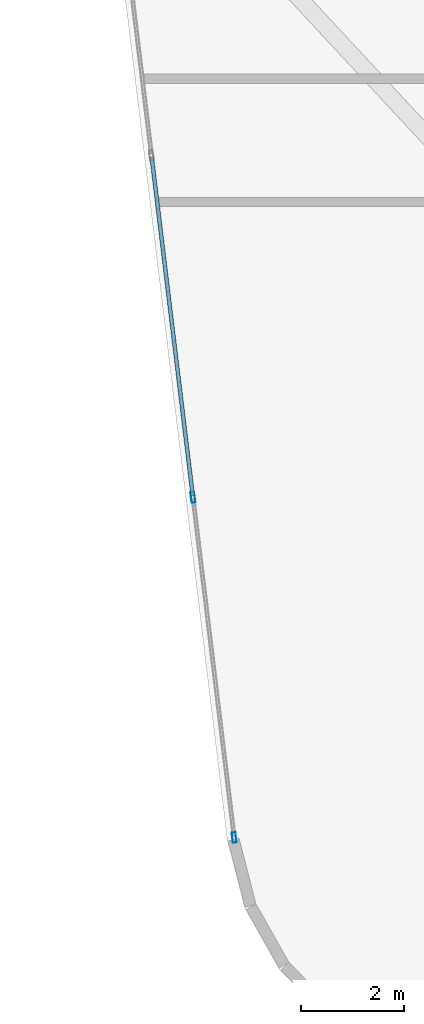
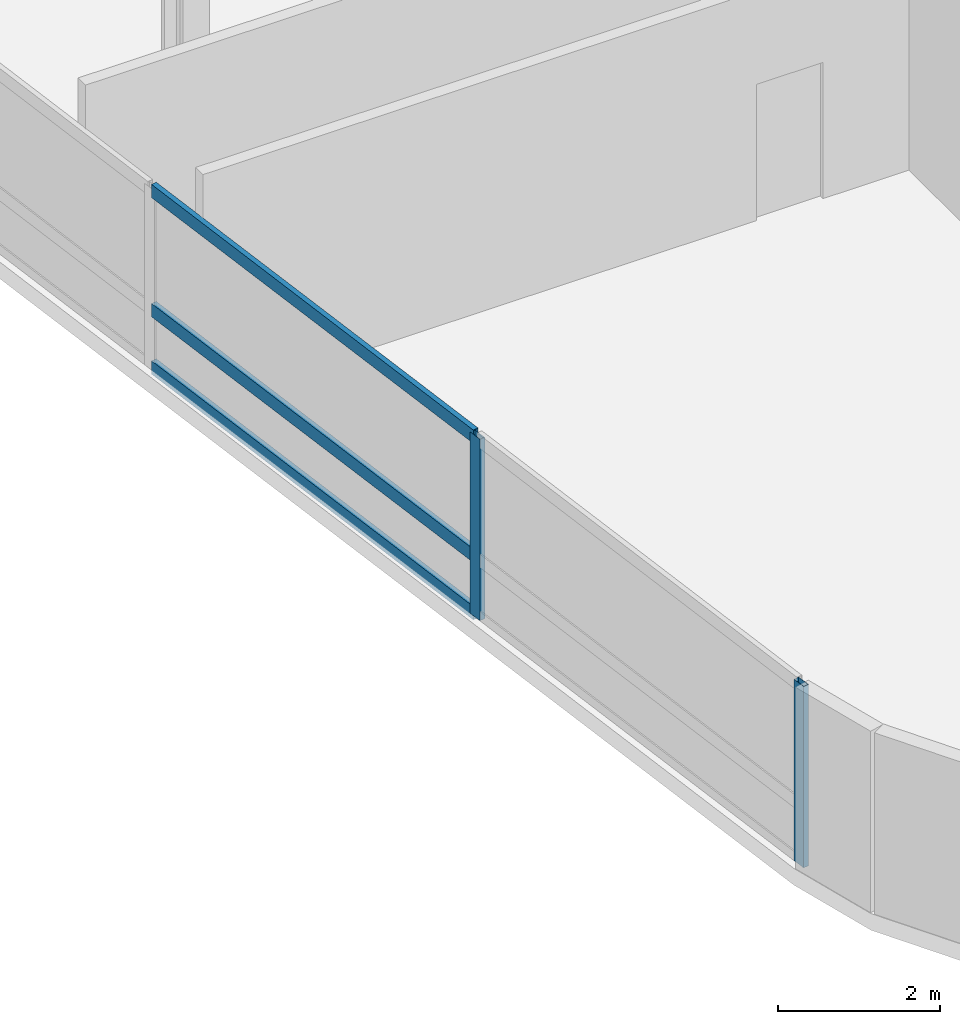
# One storey, part 2 of 23: 5 members, 1 element without a shape of its own.
"""IFC4 building model written with IfcOpenShell, lengths in metres."""

from ifc_helpers import new_model, si_unit, direction, frame, origin, origin_2d, place, context, subcontext, project, spatial, hollow_rectangle, extrude, material, layer, layer_set, material_profile, profile_set, type_object, element, aggregate, save


model = new_model("IFC4")

# Units and contexts
model_context = context("Model", 3, precision=1e-05, world=origin(), true_north=direction((0.0, 1.0)))
body_context = subcontext(model_context, "Body", "Model", "MODEL_VIEW")
ifc_project = project(units=[si_unit("LENGTHUNIT", "METRE"), si_unit("AREAUNIT", "SQUARE_METRE"), si_unit("VOLUMEUNIT", "CUBIC_METRE"), si_unit("PLANEANGLEUNIT", "RADIAN"), si_unit("MASSUNIT", "GRAM", prefix="KILO")], contexts=[model_context])

# Site, building, storey
site_placement = place(None, origin())
site = spatial("IfcSite", under=ifc_project, at=site_placement, CompositionType="ELEMENT")
building_placement = place(site_placement, origin())
building = spatial("IfcBuilding", under=site, at=building_placement, Name="Varnelok Gate Tower", CompositionType="ELEMENT")
storey_placement = place(building_placement, frame((0.0, 0.0, 189.39990234375)))
storey = spatial("IfcBuildingStorey", under=building, at=storey_placement, Name="L48", CompositionType="ELEMENT", Elevation=189.39990234375)

# Curtain wall, members
ifc_material = material(Name="Anodized Aluminum Alloy 6063-T6", Category="aluminium")
ifc_layer = layer(ifc_material, 0.179931640625)
ifc_layer_set = layer_set([ifc_layer], Name="Anodized Aluminum Alloy 6063-T6")
curtain_wall_type = type_object("IfcCurtainWallType", Name="CW4-RESIDENCE-VISION", PredefinedType="USERDEFINED", material=ifc_layer_set)
curtain_wall_placement = place(storey_placement, origin())
curtain_wall = element("IfcCurtainWall", 1, at=curtain_wall_placement, inside=storey, type_object=curtain_wall_type, Name="L48 West End Vision Curtain Wall", ObjectType="UNITISED CURTAIN WALL", PredefinedType="USERDEFINED")
ifc_material_profile_1 = material_profile(ifc_material, hollow_rectangle(XDim=0.074951171875, YDim=0.199951171875, WallThickness=0.00390625, at=origin_2d()), Name="ALU200X75X4")
ifc_profile_set_1 = profile_set([ifc_material_profile_1], Name="Anodized Aluminum Alloy 6063-T6")
member_type_1 = type_object("IfcMemberType", Name="CW-MULL-200", PredefinedType="MULLION", material=ifc_profile_set_1)
member_1_placement = place(storey_placement, frame((6.30078125, 4.52734375, 0.0), z_axis=(0.0, 0.0, 1.0), x_axis=(-0.992732188751, -0.120344511371, 0.0)))
member_1 = element("IfcMember", 2, at=member_1_placement, type_object=member_type_1, Name="CW4 mullion 1", PredefinedType="MULLION", context=body_context, shape_type="SweptSolid", body=[
    extrude(hollow_rectangle(XDim=0.074951171875, YDim=0.199951171875, WallThickness=0.00390625, at=origin_2d()), origin(), (0.0, 0.0, 1.0), 2.72998046875),
])
member_2_placement = place(storey_placement, frame((5.50146484375, 11.12158203125, 0.0), z_axis=(0.0, 0.0, 1.0), x_axis=(-0.992732188751, -0.120344511371, 0.0)))
member_2 = element("IfcMember", 3, at=member_2_placement, type_object=member_type_1, Name="CW4 mullion 2", PredefinedType="MULLION", context=body_context, shape_type="SweptSolid", body=[
    extrude(hollow_rectangle(XDim=0.074951171875, YDim=0.199951171875, WallThickness=0.00390625, at=origin_2d()), origin(), (0.0, 0.0, 1.0), 2.72998046875),
])
ifc_material_profile_2 = material_profile(ifc_material, hollow_rectangle(XDim=0.074951171875, YDim=0.199951171875, WallThickness=0.00390625, at=origin_2d()), Name="ALU200X75X4")
ifc_profile_set_2 = profile_set([ifc_material_profile_2], Name="Anodized Aluminum Alloy 6063-T6")
member_type_2 = type_object("IfcMemberType", Name="CW-TRAN-200", PredefinedType="USERDEFINED", material=ifc_profile_set_2)
member_3_placement = place(storey_placement, frame((5.496826171875, 11.15869140625, 0.03759765625), z_axis=(-0.120349029092, 0.992731641078, 0.0), x_axis=(-0.992731641078, -0.120349029092, 0.0)))
member_3 = element("IfcMember", 4, at=member_3_placement, type_object=member_type_2, Name="CW4 transom 2.1", ObjectType="TRANSOM", PredefinedType="USERDEFINED", context=body_context, shape_type="SweptSolid", body=[
    extrude(hollow_rectangle(XDim=0.074951171875, YDim=0.199951171875, WallThickness=0.00390625, at=origin_2d()), origin(), (0.0, 0.0, 1.0), 6.605224609375),
])
member_4_placement = place(storey_placement, frame((5.496826171875, 11.15869140625, 0.900146484375), z_axis=(-0.120349029092, 0.992731641078, 0.0), x_axis=(-0.992731641078, -0.120349029092, 0.0)))
member_4 = element("IfcMember", 5, at=member_4_placement, type_object=member_type_2, Name="CW4 transom 2.2", ObjectType="TRANSOM", PredefinedType="USERDEFINED", context=body_context, shape_type="SweptSolid", body=[
    extrude(hollow_rectangle(XDim=0.074951171875, YDim=0.199951171875, WallThickness=0.00390625, at=origin_2d()), origin(), (0.0, 0.0, 1.0), 6.605224609375),
])
member_5_placement = place(storey_placement, frame((5.496826171875, 11.15869140625, 2.692626953125), z_axis=(-0.120349029092, 0.992731641078, 0.0), x_axis=(-0.992731641078, -0.120349029092, 0.0)))
member_5 = element("IfcMember", 6, at=member_5_placement, type_object=member_type_2, Name="CW4 transom 2.3", ObjectType="TRANSOM", PredefinedType="USERDEFINED", context=body_context, shape_type="SweptSolid", body=[
    extrude(hollow_rectangle(XDim=0.074951171875, YDim=0.199951171875, WallThickness=0.00390625, at=origin_2d()), origin(), (0.0, 0.0, 1.0), 6.605224609375),
])
aggregate(curtain_wall, [member_1, member_2, member_3, member_4, member_5])

save(model, "model.ifc")
